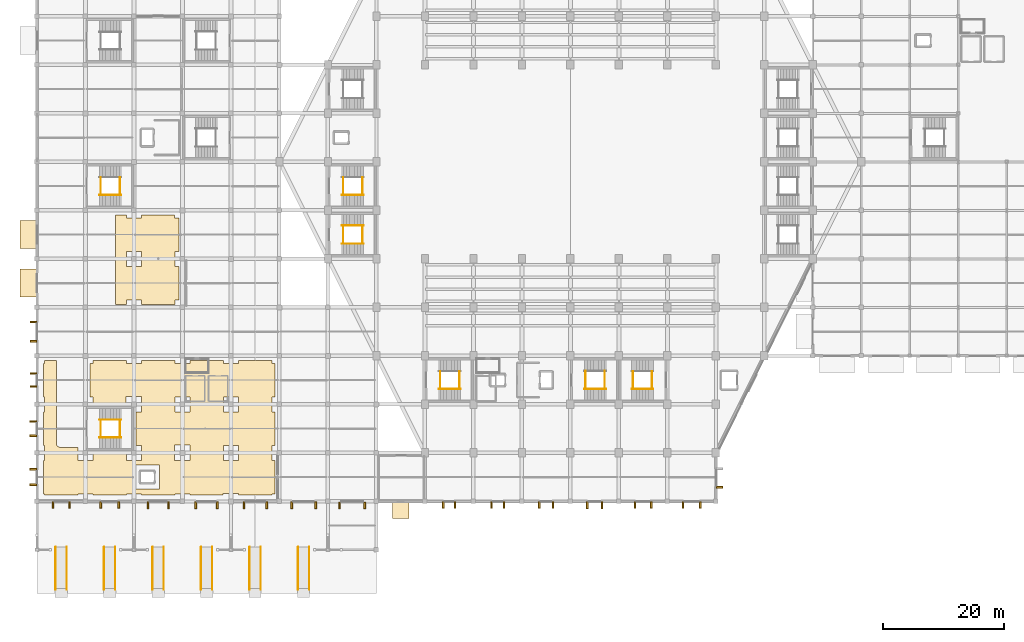
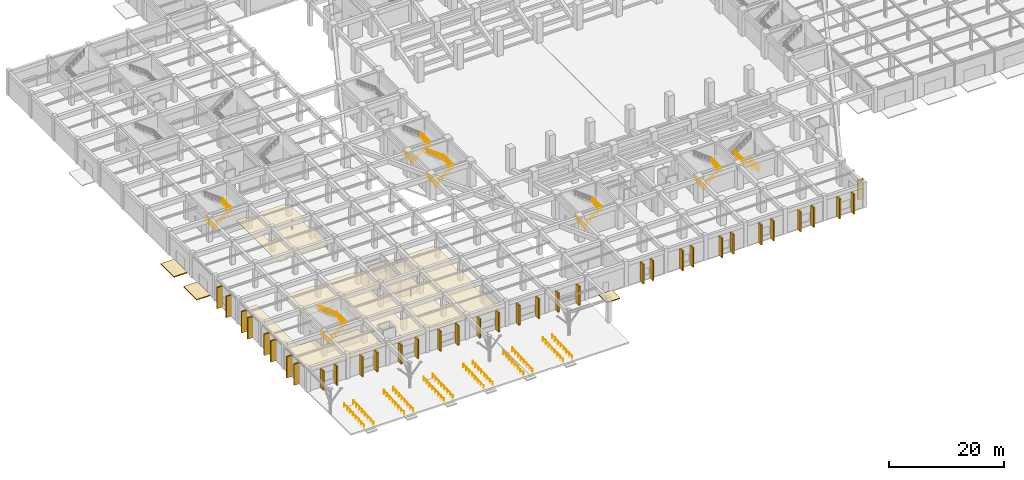
# One storey, part 36 of 39: 40 coverings, 35 railings.
"""IFC4 building model written with IfcOpenShell, lengths in metres."""

from ifc_helpers import new_model, si_unit, direction, frame, origin, origin_2d, place, context, subcontext, project, spatial, polyline, rectangle, circle, outline, extrude, material, layer, layer_set, type_object, element, save


model = new_model("IFC4")

# Units and contexts
model_context = context("Model", 3, precision=1e-05, world=origin(), true_north=direction((0.0, 1.0)))
body_context = subcontext(model_context, "Body", "Model", "MODEL_VIEW")
ifc_project = project(units=[si_unit("LENGTHUNIT", "METRE"), si_unit("AREAUNIT", "SQUARE_METRE"), si_unit("VOLUMEUNIT", "CUBIC_METRE"), si_unit("PLANEANGLEUNIT", "RADIAN"), si_unit("MASSUNIT", "GRAM", prefix="KILO")], contexts=[model_context])

# Site, building, storey
site_placement = place(None, origin())
site = spatial("IfcSite", under=ifc_project, at=site_placement, CompositionType="ELEMENT")
building_placement = place(site_placement, origin())
building = spatial("IfcBuilding", under=site, at=building_placement, Name="Tazarka Park Arena", CompositionType="ELEMENT")
storey_placement = place(building_placement, origin())
storey = spatial("IfcBuildingStorey", under=building, at=storey_placement, Name="L00", CompositionType="ELEMENT", Elevation=0.0)

# Coverings
ifc_material_1 = material(Name="Dark ribbed perforated bronze-charcoal aluminium mesh", Category="aluminium")
ifc_layer_1 = layer(ifc_material_1, 0.06005859375, Name="Dark ribbed perforated bronze-charcoal aluminium mesh")
ifc_layer_set_1 = layer_set([ifc_layer_1], Name="Dark ribbed perforated bronze-charcoal aluminium mesh")
covering_type_1 = type_object("IfcCoveringType", Name="CLD-01", PredefinedType="CLADDING", material=ifc_layer_set_1)
for number, where, z_axis, x_axis, name in (
    (1, (-0.590087890625, 34.419921875, 0.0), (0.0, 0.0, 1.0), (0.0, 1.0, 0.0), "Window Reveal Brise-Soleil Fin L00-0006-1"),
    (2, (-0.590087890625, 37.580078125, 0.0), (0.0, 0.0, 1.0), (0.0, 1.0, 0.0), "Window Reveal Brise-Soleil Fin L00-0006-2"),
    (3, (-0.594970703125, 26.919921875, 0.0), (0.0, 0.0, 1.0), (0.0, 1.0, 0.0), "Window Reveal Brise-Soleil Fin L00-0007-1"),
    (4, (-0.594970703125, 29.080078125, 0.0), (0.0, 0.0, 1.0), (0.0, 1.0, 0.0), "Window Reveal Brise-Soleil Fin L00-0007-2"),
    (5, (-0.60498046875, 18.820068359375, 0.0), (0.0, 0.0, 1.0), (0.0, 1.0, 0.0), "Window Reveal Brise-Soleil Fin L00-0008-1"),
    (6, (-0.60498046875, 21.179931640625, 0.0), (0.0, 0.0, 1.0), (0.0, 1.0, 0.0), "Window Reveal Brise-Soleil Fin L00-0008-2"),
    (7, (-0.614990234375, 10.719970703125, 0.0), (0.0, 0.0, 1.0), (0.0, 1.0, 0.0), "Window Reveal Brise-Soleil Fin L00-0009-1"),
    (8, (-0.614990234375, 13.280029296875, 0.0), (0.0, 0.0, 1.0), (0.0, 1.0, 0.0), "Window Reveal Brise-Soleil Fin L00-0009-2"),
):
    element("IfcCovering", number, at=place(storey_placement, frame(where, z_axis=z_axis, x_axis=x_axis)), inside=storey, type_object=covering_type_1, Name=name, PredefinedType="CLADDING", context=body_context, shape_type="SweptSolid", body=[
        extrude(rectangle(XDim=0.280029296875, YDim=1.10009765625, at=origin_2d()), origin(), (0.0, 0.0, 1.0), 4.510009765625),
    ])
for number, where, z_axis, x_axis, name in (
    (9, (5.3798828125, 7.375, 0.0), (0.0, 0.0, 1.0), (-1.0, 0.0, 0.0), "Window Reveal Brise-Soleil Fin L00-0010-1"),
    (10, (2.6201171875, 7.375, 0.0), (0.0, 0.0, 1.0), (-1.0, 0.0, 0.0), "Window Reveal Brise-Soleil Fin L00-0010-2"),
):
    element("IfcCovering", number, at=place(storey_placement, frame(where, z_axis=z_axis, x_axis=x_axis)), inside=storey, type_object=covering_type_1, Name=name, PredefinedType="CLADDING", context=body_context, shape_type="SweptSolid", body=[
        extrude(rectangle(XDim=0.280029296875, YDim=1.10009765625, at=origin_2d()), origin(), (0.0, 0.0, 1.0), 4.050048828125),
    ])
for number, where, z_axis, x_axis, name in (
    (11, (13.47998046875, 7.4150390625, 0.0), (0.0, 0.0, 1.0), (-1.0, 0.0, 0.0), "Window Reveal Brise-Soleil Fin L00-0011-1"),
    (12, (10.52001953125, 7.4150390625, 0.0), (0.0, 0.0, 1.0), (-1.0, 0.0, 0.0), "Window Reveal Brise-Soleil Fin L00-0011-2"),
):
    element("IfcCovering", number, at=place(storey_placement, frame(where, z_axis=z_axis, x_axis=x_axis)), inside=storey, type_object=covering_type_1, Name=name, PredefinedType="CLADDING", context=body_context, shape_type="SweptSolid", body=[
        extrude(rectangle(XDim=0.280029296875, YDim=1.10009765625, at=origin_2d()), origin(), (0.0, 0.0, 1.0), 4.199951171875),
    ])
for number, where, z_axis, x_axis, name in (
    (13, (21.679931640625, 7.364990234375, 0.0), (0.0, 0.0, 1.0), (-1.0, 0.0, 0.0), "Window Reveal Brise-Soleil Fin L00-0012-1"),
    (14, (18.320068359375, 7.364990234375, 0.0), (0.0, 0.0, 1.0), (-1.0, 0.0, 0.0), "Window Reveal Brise-Soleil Fin L00-0012-2"),
):
    element("IfcCovering", number, at=place(storey_placement, frame(where, z_axis=z_axis, x_axis=x_axis)), inside=storey, type_object=covering_type_1, Name=name, PredefinedType="CLADDING", context=body_context, shape_type="SweptSolid", body=[
        extrude(rectangle(XDim=0.280029296875, YDim=1.10009765625, at=origin_2d()), origin(), (0.0, 0.0, 1.0), 4.050048828125),
    ])
for number, where, z_axis, x_axis, name in (
    (15, (29.7548828125, 7.35498046875, 0.0), (0.0, 0.0, 1.0), (-1.0, 0.0, 0.0), "Window Reveal Brise-Soleil Fin L00-0013-1"),
    (16, (26.195068359375, 7.35498046875, 0.0), (0.0, 0.0, 1.0), (-1.0, 0.0, 0.0), "Window Reveal Brise-Soleil Fin L00-0013-2"),
):
    element("IfcCovering", number, at=place(storey_placement, frame(where, z_axis=z_axis, x_axis=x_axis)), inside=storey, type_object=covering_type_1, Name=name, PredefinedType="CLADDING", context=body_context, shape_type="SweptSolid", body=[
        extrude(rectangle(XDim=0.280029296875, YDim=1.10009765625, at=origin_2d()), origin(), (0.0, 0.0, 1.0), 4.199951171875),
    ])
for number, where, z_axis, x_axis, name in (
    (17, (37.905029296875, 7.344970703125, 0.0), (0.0, 0.0, 1.0), (-1.0, 0.0, 0.0), "Window Reveal Brise-Soleil Fin L00-0014-1"),
    (18, (34.14501953125, 7.344970703125, 0.0), (0.0, 0.0, 1.0), (-1.0, 0.0, 0.0), "Window Reveal Brise-Soleil Fin L00-0014-2"),
):
    element("IfcCovering", number, at=place(storey_placement, frame(where, z_axis=z_axis, x_axis=x_axis)), inside=storey, type_object=covering_type_1, Name=name, PredefinedType="CLADDING", context=body_context, shape_type="SweptSolid", body=[
        extrude(rectangle(XDim=0.280029296875, YDim=1.10009765625, at=origin_2d()), origin(), (0.0, 0.0, 1.0), 4.050048828125),
    ])
for number, where, z_axis, x_axis, name in (
    (19, (45.97998046875, 7.340087890625, 0.0), (0.0, 0.0, 1.0), (-1.0, 0.0, 0.0), "Window Reveal Brise-Soleil Fin L00-0015-1"),
    (20, (42.02001953125, 7.340087890625, 0.0), (0.0, 0.0, 1.0), (-1.0, 0.0, 0.0), "Window Reveal Brise-Soleil Fin L00-0015-2"),
):
    element("IfcCovering", number, at=place(storey_placement, frame(where, z_axis=z_axis, x_axis=x_axis)), inside=storey, type_object=covering_type_1, Name=name, PredefinedType="CLADDING", context=body_context, shape_type="SweptSolid", body=[
        extrude(rectangle(XDim=0.280029296875, YDim=1.10009765625, at=origin_2d()), origin(), (0.0, 0.0, 1.0), 4.199951171875),
    ])
for number, where, z_axis, x_axis, name in (
    (21, (54.080078125, 7.3349609375, 0.0), (0.0, 0.0, 1.0), (-1.0, 0.0, 0.0), "Window Reveal Brise-Soleil Fin L00-0016-1"),
    (22, (49.919921875, 7.3349609375, 0.0), (0.0, 0.0, 1.0), (-1.0, 0.0, 0.0), "Window Reveal Brise-Soleil Fin L00-0016-2"),
):
    element("IfcCovering", number, at=place(storey_placement, frame(where, z_axis=z_axis, x_axis=x_axis)), inside=storey, type_object=covering_type_1, Name=name, PredefinedType="CLADDING", context=body_context, shape_type="SweptSolid", body=[
        extrude(rectangle(XDim=0.280029296875, YDim=1.10009765625, at=origin_2d()), origin(), (0.0, 0.0, 1.0), 4.050048828125),
    ])
for number, where, z_axis, x_axis, name in (
    (23, (68.97998046875, 7.389892578125, 0.0), (0.0, 0.0, 1.0), (-1.0, 0.0, 0.0), "Window Reveal Brise-Soleil Fin L00-0017-1"),
    (24, (67.02001953125, 7.389892578125, 0.0), (0.0, 0.0, 1.0), (-1.0, 0.0, 0.0), "Window Reveal Brise-Soleil Fin L00-0017-2"),
    (25, (77.030029296875, 7.3798828125, 0.0), (0.0, 0.0, 1.0), (-1.0, 0.0, 0.0), "Window Reveal Brise-Soleil Fin L00-0018-1"),
    (26, (74.969970703125, 7.3798828125, 0.0), (0.0, 0.0, 1.0), (-1.0, 0.0, 0.0), "Window Reveal Brise-Soleil Fin L00-0018-2"),
    (27, (85.1298828125, 7.3701171875, 0.0), (0.0, 0.0, 1.0), (-1.0, 0.0, 0.0), "Window Reveal Brise-Soleil Fin L00-0019-1"),
    (28, (82.8701171875, 7.3701171875, 0.0), (0.0, 0.0, 1.0), (-1.0, 0.0, 0.0), "Window Reveal Brise-Soleil Fin L00-0019-2"),
    (29, (93.22998046875, 7.360107421875, 0.0), (0.0, 0.0, 1.0), (-1.0, 0.0, 0.0), "Window Reveal Brise-Soleil Fin L00-0020-1"),
    (30, (90.77001953125, 7.360107421875, 0.0), (0.0, 0.0, 1.0), (-1.0, 0.0, 0.0), "Window Reveal Brise-Soleil Fin L00-0020-2"),
    (31, (101.330078125, 7.409912109375, 0.0), (0.0, 0.0, 1.0), (-1.0, 0.0, 0.0), "Window Reveal Brise-Soleil Fin L00-0021-1"),
    (32, (98.669921875, 7.409912109375, 0.0), (0.0, 0.0, 1.0), (-1.0, 0.0, 0.0), "Window Reveal Brise-Soleil Fin L00-0021-2"),
    (33, (109.429931640625, 7.405029296875, 0.0), (0.0, 0.0, 1.0), (-1.0, 0.0, 0.0), "Window Reveal Brise-Soleil Fin L00-0022-1"),
    (34, (106.570068359375, 7.405029296875, 0.0), (0.0, 0.0, 1.0), (-1.0, 0.0, 0.0), "Window Reveal Brise-Soleil Fin L00-0022-2"),
    (35, (112.60498046875, 10.3076171875, 0.0), (0.0, 0.0, 1.0), (0.0, -1.0, 0.0), "Window Reveal Brise-Soleil Fin L00-0023-2"),
):
    element("IfcCovering", number, at=place(storey_placement, frame(where, z_axis=z_axis, x_axis=x_axis)), inside=storey, type_object=covering_type_1, Name=name, PredefinedType="CLADDING", context=body_context, shape_type="SweptSolid", body=[
        extrude(rectangle(XDim=0.280029296875, YDim=1.10009765625, at=origin_2d()), origin(), (0.0, 0.0, 1.0), 4.199951171875),
    ])
ifc_material_2 = material(Name="Perforated acoustic mineral-wool ceiling tile")
ifc_layer_2 = layer(ifc_material_2, 0.0400390625, Name="Perforated acoustic mineral-wool ceiling tile")
ifc_layer_set_2 = layer_set([ifc_layer_2], Name="Perforated acoustic mineral-wool ceiling tile")
covering_type_2 = type_object("IfcCoveringType", Name="CLG-01", PredefinedType="CEILING", material=ifc_layer_set_2)
covering_1_placement = place(storey_placement, frame((0.0, 0.0, 3.10009765625)))
element("IfcCovering", 36, at=covering_1_placement, inside=storey, type_object=covering_type_2, Name="Acoustic Ceiling Park Entrance Foyer 1", PredefinedType="CEILING", context=body_context, shape_type="SweptSolid", body=[
    extrude(outline(polyline([(3.21044921875, 31.25), (3.2265625, 17.43359375), (3.22900390625, 17.38720703125), (3.236083984375, 17.341552734375), (3.248046875, 17.296630859375), (3.264404296875, 17.25341796875), (3.28515625, 17.2119140625), (3.31005859375, 17.1728515625), (3.3388671875, 17.13671875), (3.37109375, 17.103515625), (3.40673828125, 17.07373046875), (3.4453125, 17.048095703125), (3.568603515625, 16.97412109375), (3.611572265625, 16.951416015625), (3.65673828125, 16.933349609375), (3.70361328125, 16.92041015625), (3.75146484375, 16.91259765625), (3.800048828125, 16.909912109375), (6.77490234375, 16.909912109375), (6.77490234375, 14.77490234375), (9.22509765625, 14.77490234375), (9.22509765625, 15.949951171875), (14.77490234375, 15.949951171875), (14.77490234375, 14.77490234375), (17.22509765625, 14.77490234375), (17.22509765625, 17.22509765625), (16.35009765625, 17.22509765625), (16.35009765625, 22.72509765625), (17.27490234375, 22.72509765625), (17.27490234375, 25.27490234375), (14.72509765625, 25.27490234375), (14.72509765625, 24.050048828125), (9.22509765625, 24.050048828125), (9.22509765625, 25.22509765625), (8.77001953125, 25.22509765625), (8.77001953125, 30.72509765625), (9.27490234375, 30.72509765625), (9.27490234375, 31.25), (14.77490234375, 31.25), (14.77490234375, 30.77490234375), (17.22509765625, 30.77490234375), (17.22509765625, 31.25), (22.77490234375, 31.25), (22.77490234375, 30.77490234375), (25.22509765625, 30.77490234375), (25.22509765625, 31.25), (30.77490234375, 31.25), (30.77490234375, 30.77490234375), (33.22509765625, 30.77490234375), (33.22509765625, 31.25), (38.77490234375, 31.25), (38.77490234375, 30.77490234375), (39.25, 30.77490234375), (39.25, 25.22509765625), (38.77490234375, 25.22509765625), (38.77490234375, 22.77490234375), (39.25, 22.77490234375), (39.25, 17.22509765625), (38.77490234375, 17.22509765625), (38.77490234375, 14.77490234375), (39.25, 14.77490234375), (39.25, 9.22509765625), (38.77490234375, 9.22509765625), (38.77490234375, 9.050048828125), (33.27490234375, 9.050048828125), (33.27490234375, 9.27490234375), (30.72509765625, 9.27490234375), (30.72509765625, 9.050048828125), (25.22509765625, 9.050048828125), (25.22509765625, 9.22509765625), (22.77490234375, 9.22509765625), (22.77490234375, 9.050048828125), (17.22509765625, 9.050048828125), (17.22509765625, 9.22509765625), (14.77490234375, 9.22509765625), (14.77490234375, 9.050048828125), (9.22509765625, 9.050048828125), (9.22509765625, 9.22509765625), (6.77490234375, 9.22509765625), (6.77490234375, 9.050048828125), (1.22509765625, 9.050048828125), (1.22509765625, 9.22509765625), (1.050048828125, 9.22509765625), (1.050048828125, 14.77490234375), (1.22509765625, 14.77490234375), (1.22509765625, 17.22509765625), (1.050048828125, 17.22509765625), (1.050048828125, 22.77490234375), (1.22509765625, 22.77490234375), (1.22509765625, 25.22509765625), (1.050048828125, 25.22509765625), (1.050048828125, 30.77490234375), (1.22509765625, 30.77490234375), (1.22509765625, 31.25), (3.21044921875, 31.25)]), holes=[polyline([(20.199951171875, 14.0), (16.199951171875, 14.0), (16.199951171875, 10.0), (20.199951171875, 10.0), (20.199951171875, 14.0)]), polyline([(33.22509765625, 17.22509765625), (30.77490234375, 17.22509765625), (30.77490234375, 14.77490234375), (33.22509765625, 14.77490234375), (33.22509765625, 17.22509765625)]), polyline([(25.27490234375, 17.27490234375), (22.72509765625, 17.27490234375), (22.72509765625, 14.72509765625), (25.27490234375, 14.72509765625), (25.27490234375, 17.27490234375)]), polyline([(33.22509765625, 22.77490234375), (33.22509765625, 25.22509765625), (30.77490234375, 25.22509765625), (30.77490234375, 22.77490234375), (33.22509765625, 22.77490234375)]), polyline([(25.22509765625, 25.22509765625), (22.77490234375, 25.22509765625), (22.77490234375, 22.77490234375), (25.22509765625, 22.77490234375), (25.22509765625, 25.22509765625)])]), origin(), (0.0, 0.0, 1.0), 0.039794921875),
])
ifc_material_3 = material(Name="Linear slatted timber-acoustic ceiling", Category="wood")
ifc_layer_3 = layer(ifc_material_3, 0.050048828125, Name="Linear slatted timber-acoustic ceiling")
ifc_layer_set_3 = layer_set([ifc_layer_3], Name="Linear slatted timber-acoustic ceiling")
covering_type_3 = type_object("IfcCoveringType", Name="CLG-02", PredefinedType="CEILING", material=ifc_layer_set_3)
covering_2_placement = place(storey_placement, frame((0.0, 0.0, 3.10009765625)))
element("IfcCovering", 37, at=covering_2_placement, inside=storey, type_object=covering_type_3, Name="Acoustic Ceiling Park Court Arena Cafe 2", PredefinedType="CEILING", context=body_context, shape_type="SweptSolid", body=[
    extrude(outline(polyline([(14.77490234375, 55.25), (14.77490234375, 54.77490234375), (17.22509765625, 54.77490234375), (17.22509765625, 55.25), (22.72509765625, 55.25), (22.72509765625, 54.72509765625), (23.449951171875, 54.72509765625), (23.449951171875, 49.22509765625), (22.77490234375, 49.22509765625), (22.77490234375, 46.77490234375), (23.449951171875, 46.77490234375), (23.449951171875, 41.22509765625), (22.77490234375, 41.22509765625), (22.77490234375, 40.489990234375), (17.22509765625, 40.489990234375), (17.22509765625, 41.22509765625), (14.77490234375, 41.22509765625), (14.77490234375, 40.489990234375), (12.949951171875, 40.489990234375), (12.949951171875, 55.25), (14.77490234375, 55.25)]), holes=[polyline([(17.22509765625, 49.22509765625), (14.77490234375, 49.22509765625), (14.77490234375, 46.77490234375), (17.22509765625, 46.77490234375), (17.22509765625, 49.22509765625)])]), origin(), (0.0, 0.0, 1.0), 0.0498046875),
])

# Railings
ifc_material_4 = material(Name="Brushed architectural stainless steel", Category="steel")
railing_type_1 = type_object("IfcRailingType", Name="HR-01", PredefinedType="HANDRAIL", material=ifc_material_4)
for number, where, name in (
    (38, (10.31494140625, 58.550048828125, 0.0), "Stair Handrail ST01-L00-F1"),
    (39, (66.31494140625, 26.550048828125, 0.0), "Stair Handrail ST09-L00-F1"),
):
    element("IfcRailing", number, at=place(storey_placement, frame(where)), inside=storey, type_object=railing_type_1, Name=name, PredefinedType="HANDRAIL", context=body_context, shape_type="SweptSolid", body=[
        extrude(circle(Radius=0.02392578125, at=origin_2d()), frame((0.0, 0.0, 0.89599609375), z_axis=(0.797591487339, 0.0, 0.603197993468), x_axis=(0.0, 1.0, 0.0)), (0.0, 0.0, 1.0), 4.47607421875),
        extrude(circle(Radius=0.02099609375, at=origin_2d()), origin(), (0.0, 0.0, 1.0), 0.871826171875),
        extrude(circle(Radius=0.02099609375, at=origin_2d()), frame((0.714111328125, 0.0, 0.5400390625)), (0.0, 0.0, 1.0), 0.871826171875),
        extrude(circle(Radius=0.02099609375, at=origin_2d()), frame((1.427978515625, 0.0, 1.080078125)), (0.0, 0.0, 1.0), 0.871826171875),
        extrude(circle(Radius=0.02099609375, at=origin_2d()), frame((2.14208984375, 0.0, 1.619873046875)), (0.0, 0.0, 1.0), 0.871826171875),
        extrude(circle(Radius=0.02099609375, at=origin_2d()), frame((2.85595703125, 0.0, 2.159912109375)), (0.0, 0.0, 1.0), 0.871826171875),
        extrude(circle(Radius=0.02099609375, at=origin_2d()), frame((3.570068359375, 0.0, 2.699951171875)), (0.0, 0.0, 1.0), 0.871826171875),
    ])
railing_1_placement = place(storey_placement, frame((101.68505859375, 26.550048828125, 0.0)))
element("IfcRailing", 40, at=railing_1_placement, inside=storey, type_object=railing_type_1, Name="Stair Handrail ST11-L00-F1", PredefinedType="HANDRAIL", context=body_context, shape_type="SweptSolid", body=[
    extrude(circle(Radius=0.02392578125, at=origin_2d()), frame((0.0, 0.0, 0.89599609375), z_axis=(-0.797591487339, 0.0, 0.603197993468), x_axis=(0.0, -1.0, 0.0)), (0.0, 0.0, 1.0), 4.47607421875),
    extrude(circle(Radius=0.02099609375, at=origin_2d()), origin(), (0.0, 0.0, 1.0), 0.871826171875),
    extrude(circle(Radius=0.02099609375, at=origin_2d()), frame((-0.714111328125, 0.0, 0.5400390625)), (0.0, 0.0, 1.0), 0.871826171875),
    extrude(circle(Radius=0.02099609375, at=origin_2d()), frame((-1.427978515625, 0.0, 1.080078125)), (0.0, 0.0, 1.0), 0.871826171875),
    extrude(circle(Radius=0.02099609375, at=origin_2d()), frame((-2.14208984375, 0.0, 1.619873046875)), (0.0, 0.0, 1.0), 0.871826171875),
    extrude(circle(Radius=0.02099609375, at=origin_2d()), frame((-2.85595703125, 0.0, 2.159912109375)), (0.0, 0.0, 1.0), 0.871826171875),
    extrude(circle(Radius=0.02099609375, at=origin_2d()), frame((-3.570068359375, 0.0, 2.699951171875)), (0.0, 0.0, 1.0), 0.871826171875),
])
for number, where, name in (
    (41, (50.31494140625, 58.550048828125, 0.0), "Stair Handrail ST13-L00-F1"),
    (42, (10.31494140625, 18.550048828125, 0.0), "Stair Handrail ST17-L00-F1"),
):
    element("IfcRailing", number, at=place(storey_placement, frame(where)), inside=storey, type_object=railing_type_1, Name=name, PredefinedType="HANDRAIL", context=body_context, shape_type="SweptSolid", body=[
        extrude(circle(Radius=0.02392578125, at=origin_2d()), frame((0.0, 0.0, 0.89599609375), z_axis=(0.797591487339, 0.0, 0.603197993468), x_axis=(0.0, 1.0, 0.0)), (0.0, 0.0, 1.0), 4.47607421875),
        extrude(circle(Radius=0.02099609375, at=origin_2d()), origin(), (0.0, 0.0, 1.0), 0.871826171875),
        extrude(circle(Radius=0.02099609375, at=origin_2d()), frame((0.714111328125, 0.0, 0.5400390625)), (0.0, 0.0, 1.0), 0.871826171875),
        extrude(circle(Radius=0.02099609375, at=origin_2d()), frame((1.427978515625, 0.0, 1.080078125)), (0.0, 0.0, 1.0), 0.871826171875),
        extrude(circle(Radius=0.02099609375, at=origin_2d()), frame((2.14208984375, 0.0, 1.619873046875)), (0.0, 0.0, 1.0), 0.871826171875),
        extrude(circle(Radius=0.02099609375, at=origin_2d()), frame((2.85595703125, 0.0, 2.159912109375)), (0.0, 0.0, 1.0), 0.871826171875),
        extrude(circle(Radius=0.02099609375, at=origin_2d()), frame((3.570068359375, 0.0, 2.699951171875)), (0.0, 0.0, 1.0), 0.871826171875),
    ])
railing_2_placement = place(storey_placement, frame((13.885009765625, 21.449951171875, 2.699951171875)))
element("IfcRailing", 43, at=railing_2_placement, inside=storey, type_object=railing_type_1, Name="Stair Handrail ST17-L00-F2", PredefinedType="HANDRAIL", context=body_context, shape_type="SweptSolid", body=[
    extrude(circle(Radius=0.02392578125, at=origin_2d()), frame((0.0, 0.0, 0.89599609375), z_axis=(-0.797591487339, 0.0, 0.603197993468), x_axis=(0.0, -1.0, 0.0)), (0.0, 0.0, 1.0), 4.47607421875),
    extrude(circle(Radius=0.02099609375, at=origin_2d()), origin(), (0.0, 0.0, 1.0), 0.871826171875),
    extrude(circle(Radius=0.02099609375, at=origin_2d()), frame((-0.714111328125, 0.0, 0.5400390625)), (0.0, 0.0, 1.0), 0.871826171875),
    extrude(circle(Radius=0.02099609375, at=origin_2d()), frame((-1.427978515625, 0.0, 1.080078125)), (0.0, 0.0, 1.0), 0.871826171875),
    extrude(circle(Radius=0.02099609375, at=origin_2d()), frame((-2.14208984375, 0.0, 1.619873046875)), (0.0, 0.0, 1.0), 0.871826171875),
    extrude(circle(Radius=0.02099609375, at=origin_2d()), frame((-2.85595703125, 0.0, 2.159912109375)), (0.0, 0.0, 1.0), 0.871826171875),
    extrude(circle(Radius=0.02099609375, at=origin_2d()), frame((-3.570068359375, 0.0, 2.699951171875)), (0.0, 0.0, 1.0), 0.871826171875),
])
railing_3_placement = place(storey_placement, frame((50.31494140625, 50.510009765625, 0.0)))
element("IfcRailing", 44, at=railing_3_placement, inside=storey, type_object=railing_type_1, Name="Stair Handrail ST19-L00-F1", PredefinedType="HANDRAIL", context=body_context, shape_type="SweptSolid", body=[
    extrude(circle(Radius=0.02392578125, at=origin_2d()), frame((0.0, 0.0, 0.89599609375), z_axis=(0.797591487339, 0.0, 0.603197993468), x_axis=(0.0, 1.0, 0.0)), (0.0, 0.0, 1.0), 4.47607421875),
    extrude(circle(Radius=0.02099609375, at=origin_2d()), origin(), (0.0, 0.0, 1.0), 0.871826171875),
    extrude(circle(Radius=0.02099609375, at=origin_2d()), frame((0.714111328125, 0.0, 0.5400390625)), (0.0, 0.0, 1.0), 0.871826171875),
    extrude(circle(Radius=0.02099609375, at=origin_2d()), frame((1.427978515625, 0.0, 1.080078125)), (0.0, 0.0, 1.0), 0.871826171875),
    extrude(circle(Radius=0.02099609375, at=origin_2d()), frame((2.14208984375, 0.0, 1.619873046875)), (0.0, 0.0, 1.0), 0.871826171875),
    extrude(circle(Radius=0.02099609375, at=origin_2d()), frame((2.85595703125, 0.0, 2.159912109375)), (0.0, 0.0, 1.0), 0.871826171875),
    extrude(circle(Radius=0.02099609375, at=origin_2d()), frame((3.570068359375, 0.0, 2.699951171875)), (0.0, 0.0, 1.0), 0.871826171875),
])
railing_4_placement = place(storey_placement, frame((53.885009765625, 53.489990234375, 2.699951171875)))
element("IfcRailing", 45, at=railing_4_placement, inside=storey, type_object=railing_type_1, Name="Stair Handrail ST19-L00-F2", PredefinedType="HANDRAIL", context=body_context, shape_type="SweptSolid", body=[
    extrude(circle(Radius=0.02392578125, at=origin_2d()), frame((0.0, 0.0, 0.89599609375), z_axis=(-0.797591487339, 0.0, 0.603197993468), x_axis=(0.0, -1.0, 0.0)), (0.0, 0.0, 1.0), 4.47607421875),
    extrude(circle(Radius=0.02099609375, at=origin_2d()), origin(), (0.0, 0.0, 1.0), 0.871826171875),
    extrude(circle(Radius=0.02099609375, at=origin_2d()), frame((-0.714111328125, 0.0, 0.5400390625)), (0.0, 0.0, 1.0), 0.871826171875),
    extrude(circle(Radius=0.02099609375, at=origin_2d()), frame((-1.427978515625, 0.0, 1.080078125)), (0.0, 0.0, 1.0), 0.871826171875),
    extrude(circle(Radius=0.02099609375, at=origin_2d()), frame((-2.14208984375, 0.0, 1.619873046875)), (0.0, 0.0, 1.0), 0.871826171875),
    extrude(circle(Radius=0.02099609375, at=origin_2d()), frame((-2.85595703125, 0.0, 2.159912109375)), (0.0, 0.0, 1.0), 0.871826171875),
    extrude(circle(Radius=0.02099609375, at=origin_2d()), frame((-3.570068359375, 0.0, 2.699951171875)), (0.0, 0.0, 1.0), 0.871826171875),
])
railing_5_placement = place(storey_placement, frame((90.31494140625, 26.510009765625, 0.0)))
element("IfcRailing", 46, at=railing_5_placement, inside=storey, type_object=railing_type_1, Name="Stair Handrail ST23-L00-F1", PredefinedType="HANDRAIL", context=body_context, shape_type="SweptSolid", body=[
    extrude(circle(Radius=0.02392578125, at=origin_2d()), frame((0.0, 0.0, 0.89599609375), z_axis=(0.797591487339, 0.0, 0.603197993468), x_axis=(0.0, 1.0, 0.0)), (0.0, 0.0, 1.0), 4.47607421875),
    extrude(circle(Radius=0.02099609375, at=origin_2d()), origin(), (0.0, 0.0, 1.0), 0.871826171875),
    extrude(circle(Radius=0.02099609375, at=origin_2d()), frame((0.714111328125, 0.0, 0.5400390625)), (0.0, 0.0, 1.0), 0.871826171875),
    extrude(circle(Radius=0.02099609375, at=origin_2d()), frame((1.427978515625, 0.0, 1.080078125)), (0.0, 0.0, 1.0), 0.871826171875),
    extrude(circle(Radius=0.02099609375, at=origin_2d()), frame((2.14208984375, 0.0, 1.619873046875)), (0.0, 0.0, 1.0), 0.871826171875),
    extrude(circle(Radius=0.02099609375, at=origin_2d()), frame((2.85595703125, 0.0, 2.159912109375)), (0.0, 0.0, 1.0), 0.871826171875),
    extrude(circle(Radius=0.02099609375, at=origin_2d()), frame((3.570068359375, 0.0, 2.699951171875)), (0.0, 0.0, 1.0), 0.871826171875),
])
for number, where, name in (
    (47, (3.080078125, -6.550048828125, -0.35009765625), "Accessible Ramp Handrail PRMP-01-W"),
    (48, (4.919921875, -6.550048828125, -0.35009765625), "Accessible Ramp Handrail PRMP-01-E"),
    (49, (11.080078125, -6.550048828125, -0.35009765625), "Accessible Ramp Handrail PRMP-02-W"),
    (50, (12.919921875, -6.550048828125, -0.35009765625), "Accessible Ramp Handrail PRMP-02-E"),
    (51, (19.080078125, -6.550048828125, -0.35009765625), "Accessible Ramp Handrail PRMP-03-W"),
    (52, (20.919921875, -6.550048828125, -0.35009765625), "Accessible Ramp Handrail PRMP-03-E"),
    (53, (27.080078125, -6.550048828125, -0.35009765625), "Accessible Ramp Handrail PRMP-04-W"),
    (54, (28.919921875, -6.550048828125, -0.35009765625), "Accessible Ramp Handrail PRMP-04-E"),
    (55, (35.080078125, -6.550048828125, -0.35009765625), "Accessible Ramp Handrail PRMP-05-W"),
    (56, (36.919921875, -6.550048828125, -0.35009765625), "Accessible Ramp Handrail PRMP-05-E"),
    (57, (43.080078125, -6.550048828125, -0.35009765625), "Accessible Ramp Handrail PRMP-06-W"),
    (58, (44.919921875, -6.550048828125, -0.35009765625), "Accessible Ramp Handrail PRMP-06-E"),
):
    element("IfcRailing", number, at=place(storey_placement, frame(where)), inside=storey, type_object=railing_type_1, Name=name, PredefinedType="HANDRAIL", context=body_context, shape_type="SweptSolid", body=[
        extrude(circle(Radius=0.02392578125, at=origin_2d()), frame((0.0, 0.0, 0.89599609375), z_axis=(0.0, 0.998751643845, 0.049951515669), x_axis=(-1.0, 0.0, 0.0)), (0.0, 0.0, 1.0), 7.0087890625),
        extrude(circle(Radius=0.02099609375, at=origin_2d()), origin(), (0.0, 0.0, 1.0), 0.871826171875),
        extrude(circle(Radius=0.02099609375, at=origin_2d()), frame((0.0, 1.0, 0.050048828125)), (0.0, 0.0, 1.0), 0.871826171875),
        extrude(circle(Radius=0.02099609375, at=origin_2d()), frame((0.0, 2.0, 0.10009765625)), (0.0, 0.0, 1.0), 0.871826171875),
        extrude(circle(Radius=0.02099609375, at=origin_2d()), frame((0.0, 3.0, 0.150146484375)), (0.0, 0.0, 1.0), 0.871826171875),
        extrude(circle(Radius=0.02099609375, at=origin_2d()), frame((0.0, 4.0, 0.199951171875)), (0.0, 0.0, 1.0), 0.871826171875),
        extrude(circle(Radius=0.02099609375, at=origin_2d()), frame((0.0, 5.0, 0.25)), (0.0, 0.0, 1.0), 0.871826171875),
        extrude(circle(Radius=0.02099609375, at=origin_2d()), frame((0.0, 6.0, 0.300048828125)), (0.0, 0.0, 1.0), 0.871826171875),
        extrude(circle(Radius=0.02099609375, at=origin_2d()), frame((0.0, 7.0, 0.35009765625)), (0.0, 0.0, 1.0), 0.871826171875),
    ])
ifc_material_5 = material(Name="Galvanised powder-coated architectural steel", Category="steel")
railing_type_2 = type_object("IfcRailingType", Name="IGR-01", PredefinedType="GUARDRAIL", material=ifc_material_5)
for number, where, name in (
    (59, (10.514892578125, 58.550048828125, 0.0), "Stair Well Guardrail ST01-L00"),
    (60, (13.68505859375, 58.550048828125, 2.699951171875), "Landing Guardrail ST01-L00-M"),
    (61, (66.514892578125, 26.550048828125, 0.0), "Stair Well Guardrail ST09-L00"),
    (62, (69.68505859375, 26.550048828125, 2.699951171875), "Landing Guardrail ST09-L00-M"),
    (63, (101.485107421875, 26.550048828125, 0.0), "Stair Well Guardrail ST11-L00"),
    (64, (98.31494140625, 26.550048828125, 2.699951171875), "Landing Guardrail ST11-L00-M"),
    (65, (50.514892578125, 58.550048828125, 0.0), "Stair Well Guardrail ST13-L00"),
    (66, (53.68505859375, 58.550048828125, 2.699951171875), "Landing Guardrail ST13-L00-M"),
    (67, (10.514892578125, 18.550048828125, 0.0), "Stair Well Guardrail ST17-L00"),
    (68, (13.68505859375, 18.550048828125, 2.699951171875), "Landing Guardrail ST17-L00-M"),
):
    element("IfcRailing", number, at=place(storey_placement, frame(where)), inside=storey, type_object=railing_type_2, Name=name, PredefinedType="GUARDRAIL", context=body_context, shape_type="SweptSolid", body=[
        extrude(circle(Radius=0.02392578125, at=origin_2d()), frame((0.0, 0.0, 1.1259765625), z_axis=(0.0, 1.0, 0.0), x_axis=(-1.0, 0.0, 0.0)), (0.0, 0.0, 1.0), 2.89990234375),
        extrude(circle(Radius=0.02099609375, at=origin_2d()), origin(), (0.0, 0.0, 1.0), 1.101806640625),
        extrude(circle(Radius=0.02099609375, at=origin_2d()), frame((0.0, 0.72509765625, 0.0)), (0.0, 0.0, 1.0), 1.101806640625),
        extrude(circle(Radius=0.02099609375, at=origin_2d()), frame((0.0, 1.449951171875, 0.0)), (0.0, 0.0, 1.0), 1.101806640625),
        extrude(circle(Radius=0.02099609375, at=origin_2d()), frame((0.0, 2.1748046875, 0.0)), (0.0, 0.0, 1.0), 1.101806640625),
        extrude(circle(Radius=0.02099609375, at=origin_2d()), frame((0.0, 2.89990234375, 0.0)), (0.0, 0.0, 1.0), 1.101806640625),
    ])
for number, where, name in (
    (69, (50.514892578125, 50.510009765625, 0.0), "Stair Well Guardrail ST19-L00"),
    (70, (53.68505859375, 50.510009765625, 2.699951171875), "Landing Guardrail ST19-L00-M"),
    (71, (90.514892578125, 26.510009765625, 0.0), "Stair Well Guardrail ST23-L00"),
    (72, (93.68505859375, 26.510009765625, 2.699951171875), "Landing Guardrail ST23-L00-M"),
):
    element("IfcRailing", number, at=place(storey_placement, frame(where)), inside=storey, type_object=railing_type_2, Name=name, PredefinedType="GUARDRAIL", context=body_context, shape_type="SweptSolid", body=[
        extrude(circle(Radius=0.02392578125, at=origin_2d()), frame((0.0, 0.0, 1.1259765625), z_axis=(0.0, 1.0, 0.0), x_axis=(-1.0, 0.0, 0.0)), (0.0, 0.0, 1.0), 2.97998046875),
        extrude(circle(Radius=0.02099609375, at=origin_2d()), origin(), (0.0, 0.0, 1.0), 1.101806640625),
        extrude(circle(Radius=0.02099609375, at=origin_2d()), frame((0.0, 0.7451171875, 0.0)), (0.0, 0.0, 1.0), 1.101806640625),
        extrude(circle(Radius=0.02099609375, at=origin_2d()), frame((0.0, 1.489990234375, 0.0)), (0.0, 0.0, 1.0), 1.101806640625),
        extrude(circle(Radius=0.02099609375, at=origin_2d()), frame((0.0, 2.23486328125, 0.0)), (0.0, 0.0, 1.0), 1.101806640625),
        extrude(circle(Radius=0.02099609375, at=origin_2d()), frame((0.0, 2.97998046875, 0.0)), (0.0, 0.0, 1.0), 1.101806640625),
    ])

# Coverings
ifc_material_6 = material(Name="Standing-seam acoustic aluminium roofing membrane", Category="aluminium")
ifc_layer_4 = layer(ifc_material_6, 0.050048828125, Name="Standing-seam acoustic aluminium roofing membrane")
ifc_layer_set_4 = layer_set([ifc_layer_4], Name="Standing-seam acoustic aluminium roofing membrane")
covering_type_4 = type_object("IfcCoveringType", Name="RFG-01", PredefinedType="ROOFING", material=ifc_layer_set_4)
covering_3_placement = place(storey_placement, frame((0.0, 0.0, -0.199951171875)))
element("IfcCovering", 73, at=covering_3_placement, inside=storey, type_object=covering_type_4, Name="Threshold Paving G21", PredefinedType="ROOFING", context=body_context, shape_type="SweptSolid", body=[
    extrude(outline(polyline([(-2.800048828125, 49.699951171875), (-2.800048828125, 54.300048828125), (-0.02001953125, 54.300048828125), (-0.02001953125, 49.699951171875), (-2.800048828125, 49.699951171875)])), origin(), (0.0, 0.0, 1.0), 0.199951171875),
])
covering_4_placement = place(storey_placement, frame((0.0, 0.0, -0.199951171875)))
element("IfcCovering", 74, at=covering_4_placement, inside=storey, type_object=covering_type_4, Name="Threshold Paving G22", PredefinedType="ROOFING", context=body_context, shape_type="SweptSolid", body=[
    extrude(outline(polyline([(-2.800048828125, 41.699951171875), (-2.800048828125, 46.300048828125), (-0.02001953125, 46.300048828125), (-0.02001953125, 41.699951171875), (-2.800048828125, 41.699951171875)])), origin(), (0.0, 0.0, 1.0), 0.199951171875),
])
covering_5_placement = place(storey_placement, frame((0.0, 0.0, -0.199951171875)))
element("IfcCovering", 75, at=covering_5_placement, inside=storey, type_object=covering_type_4, Name="Threshold Paving DR-FCC-EXT", PredefinedType="ROOFING", context=body_context, shape_type="SweptSolid", body=[
    extrude(outline(polyline([(61.35009765625, 5.199951171875), (58.64990234375, 5.199951171875), (58.64990234375, 7.97998046875), (61.35009765625, 7.97998046875), (61.35009765625, 5.199951171875)])), origin(), (0.0, 0.0, 1.0), 0.199951171875),
])

save(model, "model.ifc")
